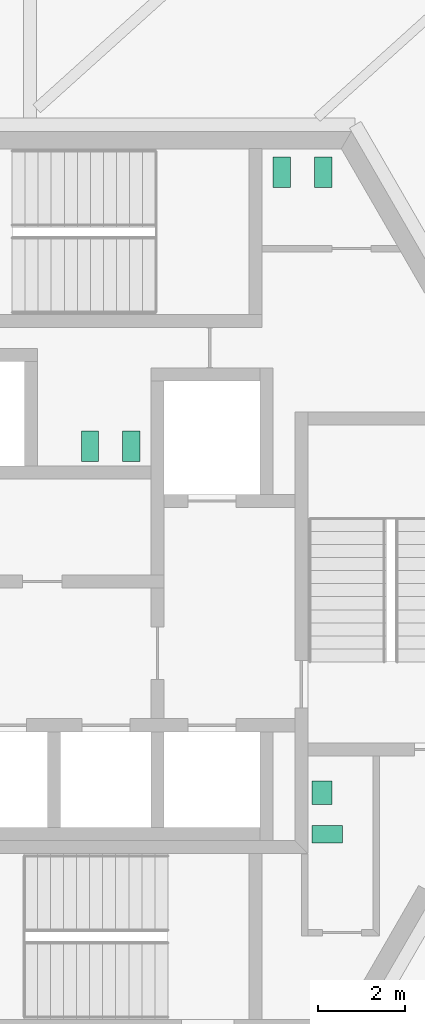
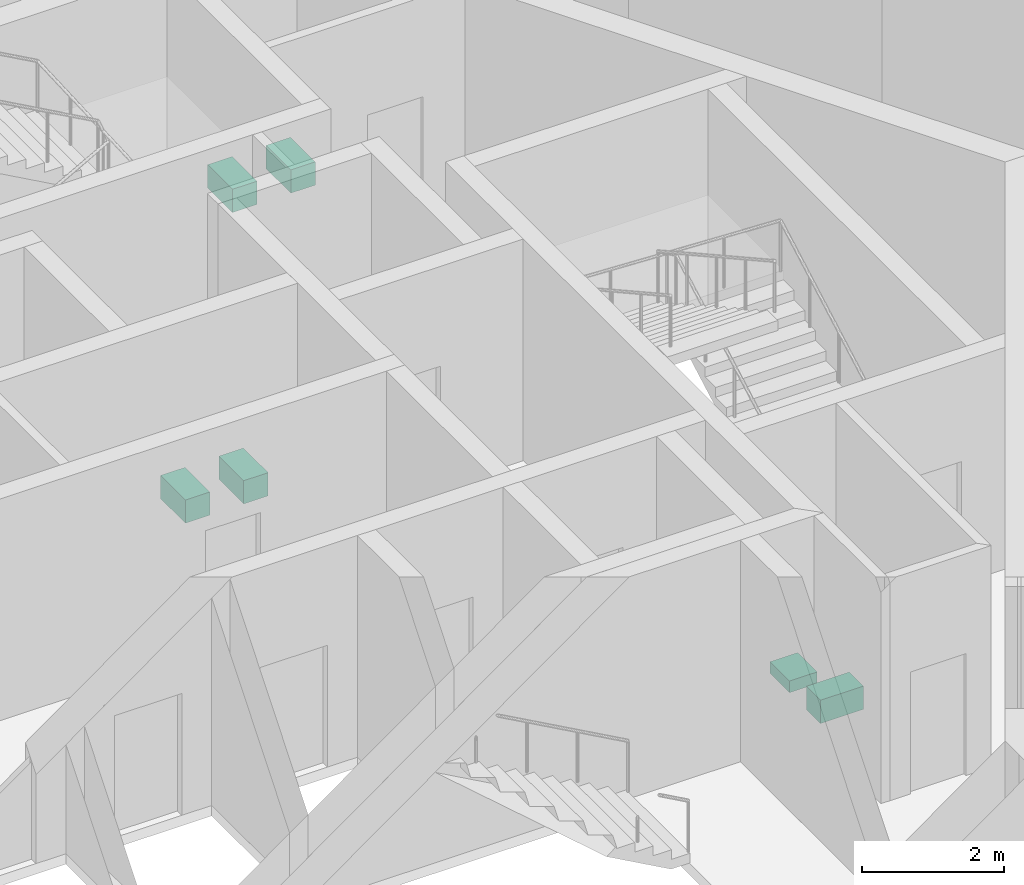
# One storey, part 14 of 14: 6 sanitary terminals.
"""IFC4 building model written with IfcOpenShell, lengths in metres."""

from ifc_helpers import new_model, si_unit, direction, frame, origin, origin_2d, place, context, subcontext, project, spatial, rectangle, extrude, source, transform, mapped, material, element, save


model = new_model("IFC4")

# Units and contexts
model_context = context("Model", 3, precision=1e-05, world=origin(), true_north=direction((0.0, 1.0)))
body_context = subcontext(model_context, "Body", "Model", "MODEL_VIEW")
ifc_project = project(units=[si_unit("LENGTHUNIT", "METRE"), si_unit("AREAUNIT", "SQUARE_METRE"), si_unit("VOLUMEUNIT", "CUBIC_METRE"), si_unit("PLANEANGLEUNIT", "RADIAN"), si_unit("MASSUNIT", "GRAM", prefix="KILO")], contexts=[model_context])

# Site, building, storey
site_placement = place(None, origin())
site = spatial("IfcSite", under=ifc_project, at=site_placement, CompositionType="ELEMENT")
building_placement = place(site_placement, origin())
building = spatial("IfcBuilding", under=site, at=building_placement, Name="Triune Harvest Tower", CompositionType="ELEMENT")
storey_placement = place(building_placement, frame((0.0, 0.0, 284.699951171875)))
storey = spatial("IfcBuildingStorey", under=building, at=storey_placement, Name="L75", CompositionType="ELEMENT", Elevation=284.699951171875)

# Sanitary terminals
ifc_material = material(Name="Vitreous china")
shared_shape_1 = source(origin(), body_context, "Body", "SweptSolid", [
    extrude(rectangle(XDim=0.39990234375, YDim=0.699951171875, at=origin_2d()), origin(), (0.0, 0.0, 1.0), 0.39990234375),
])
for number, where, z_axis, x_axis, name in (
    (1, (4.39990234375, 9.449951171875, 0.0), (0.0, 0.0, 1.0), (1.0, 0.0, 0.0), "Toilet pan L75.c01"),
    (2, (5.35009765625, 9.449951171875, 0.0), (0.0, 0.0, 1.0), (1.0, 0.0, 0.0), "Toilet pan L75.c02"),
    (3, (0.949951171875, 3.159912109375, 0.0), (0.0, 0.0, 1.0), (-1.0, 0.0, 0.0), "Toilet pan L75.c03"),
    (4, (0.0, 3.159912109375, 0.0), (0.0, 0.0, 1.0), (-1.0, 0.0, 0.0), "Toilet pan L75.c04"),
    (5, (5.449951171875, -5.739990234375, 0.0), (0.0, 0.0, 1.0), (0.0, 1.0, 0.0), "Toilet pan L75.c05"),
):
    element("IfcSanitaryTerminal", number, at=place(storey_placement, frame(where, z_axis=z_axis, x_axis=x_axis)), inside=storey, material=ifc_material, Name=name, PredefinedType="TOILETPAN", context=body_context, shape_type="MappedRepresentation", body=[
        mapped(shared_shape_1, transform((0.0, 0.0, 0.0), scale=1.0)),
    ])
shared_shape_2 = source(origin(), body_context, "Body", "SweptSolid", [
    extrude(rectangle(XDim=0.550048828125, YDim=0.449951171875, at=origin_2d()), origin(), (0.0, 0.0, 1.0), 0.199951171875),
])
sanitary_terminal_placement = place(storey_placement, frame((5.324951171875, -4.7900390625, 0.0), z_axis=(0.0, 0.0, 1.0), x_axis=(0.0, 1.0, 0.0)))
element("IfcSanitaryTerminal", 6, at=sanitary_terminal_placement, inside=storey, material=ifc_material, Name="Wash basin L75.c06", PredefinedType="WASHHANDBASIN", context=body_context, shape_type="MappedRepresentation", body=[
    mapped(shared_shape_2, transform((0.0, 0.0, 0.0), scale=1.0)),
])

save(model, "model.ifc")
